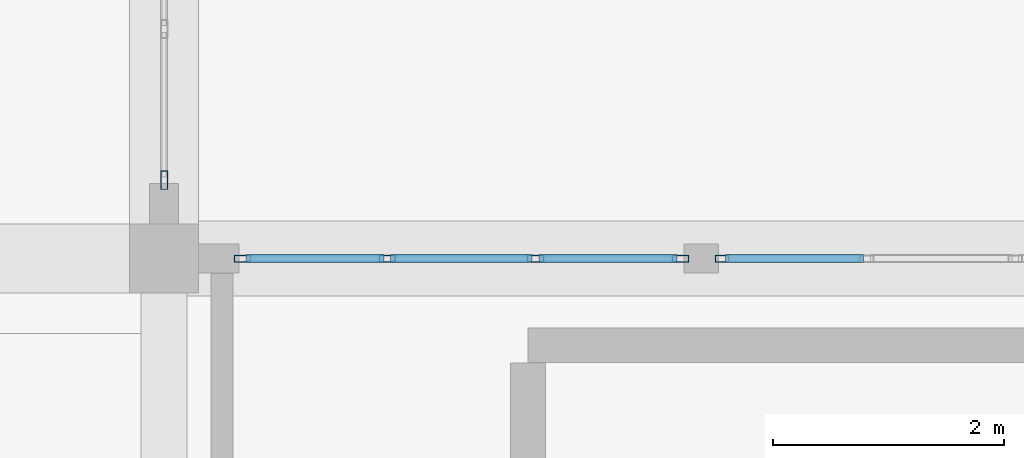
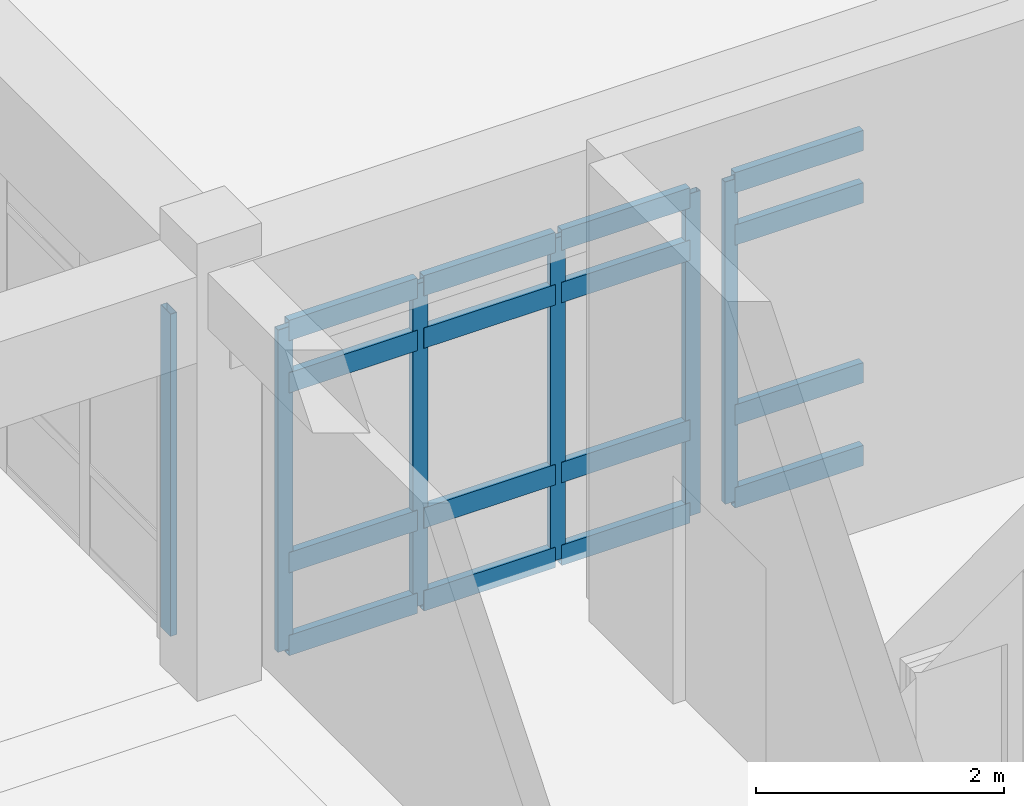
# One storey, part 22 of 109: 22 members, 3 elements without a shape of their own.
"""IFC4 building model written with IfcOpenShell, lengths in metres."""

from ifc_helpers import new_model, si_unit, direction, frame, origin, origin_2d, place, context, subcontext, project, spatial, hollow_rectangle, extrude, material, layer, layer_set, material_profile, profile_set, type_object, element, aggregate, save


model = new_model("IFC4")

# Units and contexts
model_context = context("Model", 3, precision=1e-05, world=origin(), true_north=direction((0.0, 1.0)))
body_context = subcontext(model_context, "Body", "Model", "MODEL_VIEW")
ifc_project = project(units=[si_unit("LENGTHUNIT", "METRE"), si_unit("AREAUNIT", "SQUARE_METRE"), si_unit("VOLUMEUNIT", "CUBIC_METRE"), si_unit("PLANEANGLEUNIT", "RADIAN"), si_unit("MASSUNIT", "GRAM", prefix="KILO")], contexts=[model_context])

# Site, building, storey
site_placement = place(None, origin())
site = spatial("IfcSite", under=ifc_project, at=site_placement, CompositionType="ELEMENT")
building_placement = place(site_placement, origin())
building = spatial("IfcBuilding", under=site, at=building_placement, Name="Fikremerkos Civic Library", CompositionType="ELEMENT")
storey_placement = place(building_placement, frame((0.0, 0.0, 5.39990234375)))
storey = spatial("IfcBuildingStorey", under=building, at=storey_placement, Name="L01", CompositionType="ELEMENT", Elevation=5.39990234375)

# Curtain wall, member
ifc_material = material(Name="Anodized aluminium Frame", Category="aluminium")
ifc_layer_1 = layer(ifc_material, 0.159912109375, Name="Anodized aluminium Frame")
ifc_layer_set_1 = layer_set([ifc_layer_1], Name="Anodized aluminium Frame")
curtain_wall_type_1 = type_object("IfcCurtainWallType", Name="Unitised curtain wall CW-06 4200x4100", PredefinedType="USERDEFINED", material=ifc_layer_set_1)
curtain_wall_1_placement = place(storey_placement, origin())
curtain_wall_1 = element("IfcCurtainWall", 1, at=curtain_wall_1_placement, inside=storey, type_object=curtain_wall_type_1, Name="Unitised curtain wall CW-06 L01 #96", ObjectType="UNITISED CURTAIN WALL", PredefinedType="USERDEFINED")
ifc_material_profile_1 = material_profile(ifc_material, hollow_rectangle(XDim=0.06005859375, YDim=0.159912109375, WallThickness=0.00390625, at=origin_2d()), Name="ALU 160x60x4")
ifc_profile_set_1 = profile_set([ifc_material_profile_1], Name="Anodized aluminium Frame")
member_type_1 = type_object("IfcMemberType", Name="Curtain mullion CWM-02 ALU 160x60x4", PredefinedType="MULLION", material=ifc_profile_set_1)
member_1_placement = place(storey_placement, frame((100.199951171875, 31.8779296875, 0.0), z_axis=(0.0, 0.0, 1.0), x_axis=(1.0, 0.0, 0.0)))
member_1 = element("IfcMember", 2, at=member_1_placement, type_object=member_type_1, Name="CW-06 mullion 4", PredefinedType="MULLION", context=body_context, shape_type="SweptSolid", body=[
    extrude(hollow_rectangle(XDim=0.06005859375, YDim=0.159912109375, WallThickness=0.00390625, at=origin_2d()), origin(), (0.0, 0.0, 1.0), 3.170166015625),
])
aggregate(curtain_wall_1, [member_1])

# Curtain wall, members
ifc_layer_2 = layer(ifc_material, 0.159912109375, Name="Anodized aluminium Frame")
ifc_layer_set_2 = layer_set([ifc_layer_2], Name="Anodized aluminium Frame")
curtain_wall_type_2 = type_object("IfcCurtainWallType", Name="Unitised curtain wall CW-07 3500x4100", PredefinedType="USERDEFINED", material=ifc_layer_set_2)
curtain_wall_2_placement = place(storey_placement, origin())
curtain_wall_2 = element("IfcCurtainWall", 3, at=curtain_wall_2_placement, inside=storey, type_object=curtain_wall_type_2, Name="Unitised curtain wall CW-07 L01 #97", ObjectType="UNITISED CURTAIN WALL", PredefinedType="USERDEFINED")
ifc_material_profile_2 = material_profile(ifc_material, hollow_rectangle(XDim=0.06005859375, YDim=0.139892578125, WallThickness=0.00390625, at=origin_2d()), Name="ALU 140x60x4")
ifc_profile_set_2 = profile_set([ifc_material_profile_2], Name="Anodized aluminium Frame")
member_type_2 = type_object("IfcMemberType", Name="Curtain mullion CWM-03 ALU 140x60x4", PredefinedType="MULLION", material=ifc_profile_set_2)
member_2_placement = place(storey_placement, frame((100.8779296875, 31.199951171875, 0.0), z_axis=(0.0, 0.0, 1.0), x_axis=(0.0, 1.0, 0.0)))
member_2 = element("IfcMember", 4, at=member_2_placement, type_object=member_type_2, Name="CW-07 mullion 1", PredefinedType="MULLION", context=body_context, shape_type="SweptSolid", body=[
    extrude(hollow_rectangle(XDim=0.06005859375, YDim=0.139892578125, WallThickness=0.00390625, at=origin_2d()), origin(), (0.0, 0.0, 1.0), 3.170166015625),
])
member_3_placement = place(storey_placement, frame((102.1318359375, 31.199951171875, 0.0), z_axis=(0.0, 0.0, 1.0), x_axis=(0.0, 1.0, 0.0)))
member_3 = element("IfcMember", 5, at=member_3_placement, type_object=member_type_2, Name="CW-07 mullion 2", PredefinedType="MULLION", context=body_context, shape_type="SweptSolid", body=[
    extrude(hollow_rectangle(XDim=0.06005859375, YDim=0.139892578125, WallThickness=0.00390625, at=origin_2d()), origin(), (0.0, 0.0, 1.0), 3.170166015625),
])
member_4_placement = place(storey_placement, frame((103.41552734375, 31.199951171875, 0.0), z_axis=(0.0, 0.0, 1.0), x_axis=(0.0, 1.0, 0.0)))
member_4 = element("IfcMember", 6, at=member_4_placement, type_object=member_type_2, Name="CW-07 mullion 3", PredefinedType="MULLION", context=body_context, shape_type="SweptSolid", body=[
    extrude(hollow_rectangle(XDim=0.06005859375, YDim=0.139892578125, WallThickness=0.00390625, at=origin_2d()), origin(), (0.0, 0.0, 1.0), 3.170166015625),
])
member_5_placement = place(storey_placement, frame((104.66943359375, 31.199951171875, 0.0), z_axis=(0.0, 0.0, 1.0), x_axis=(0.0, 1.0, 0.0)))
member_5 = element("IfcMember", 7, at=member_5_placement, type_object=member_type_2, Name="CW-07 mullion 4", PredefinedType="MULLION", context=body_context, shape_type="SweptSolid", body=[
    extrude(hollow_rectangle(XDim=0.06005859375, YDim=0.139892578125, WallThickness=0.00390625, at=origin_2d()), origin(), (0.0, 0.0, 1.0), 3.170166015625),
])

# Curtain wall, member
ifc_layer_3 = layer(ifc_material, 0.159912109375, Name="Anodized aluminium Frame")
ifc_layer_set_3 = layer_set([ifc_layer_3], Name="Anodized aluminium Frame")
curtain_wall_type_3 = type_object("IfcCurtainWallType", Name="Unitised curtain wall CW-08 4500x4100", PredefinedType="USERDEFINED", material=ifc_layer_set_3)
curtain_wall_3_placement = place(storey_placement, origin())
curtain_wall_3 = element("IfcCurtainWall", 8, at=curtain_wall_3_placement, inside=storey, type_object=curtain_wall_type_3, Name="Unitised curtain wall CW-08 L01 #98", ObjectType="UNITISED CURTAIN WALL", PredefinedType="USERDEFINED")
ifc_material_profile_3 = material_profile(ifc_material, hollow_rectangle(XDim=0.06005859375, YDim=0.1201171875, WallThickness=0.00390625, at=origin_2d()), Name="ALU 120x60x4")
ifc_profile_set_3 = profile_set([ifc_material_profile_3], Name="Anodized aluminium Frame")
member_type_3 = type_object("IfcMemberType", Name="Curtain mullion CWM-04 ALU 120x60x4", PredefinedType="MULLION", material=ifc_profile_set_3)
member_6_placement = place(storey_placement, frame((105.029296875, 31.199951171875, 0.0), z_axis=(0.0, 0.0, 1.0), x_axis=(0.0, 1.0, 0.0)))
member_6 = element("IfcMember", 9, at=member_6_placement, type_object=member_type_3, Name="CW-08 mullion 1", PredefinedType="MULLION", context=body_context, shape_type="SweptSolid", body=[
    extrude(hollow_rectangle(XDim=0.06005859375, YDim=0.1201171875, WallThickness=0.00390625, at=origin_2d()), origin(), (0.0, 0.0, 1.0), 3.170166015625),
])

# Member
ifc_material_profile_4 = material_profile(ifc_material, hollow_rectangle(XDim=0.070068359375, YDim=0.199951171875, WallThickness=0.0048828125, at=origin_2d()), Name="ALU 200x70x5")
ifc_profile_set_4 = profile_set([ifc_material_profile_4], Name="Anodized aluminium Frame")
member_type_4 = type_object("IfcMemberType", Name="Curtain transom CWT-04 ALU 200x70x5", PredefinedType="USERDEFINED", material=ifc_profile_set_4)
member_7_placement = place(storey_placement, frame((100.907958984375, 31.199951171875, 0.03515625), z_axis=(1.0, 0.0, 0.0), x_axis=(0.0, 1.0, 0.0)))
member_7 = element("IfcMember", 10, at=member_7_placement, type_object=member_type_4, Name="CW-07 transom 1.1", ObjectType="TRANSOM", PredefinedType="USERDEFINED", context=body_context, shape_type="SweptSolid", body=[
    extrude(hollow_rectangle(XDim=0.070068359375, YDim=0.199951171875, WallThickness=0.0048828125, at=origin_2d()), origin(), (0.0, 0.0, 1.0), 1.19384765625),
])

member_8_placement = place(storey_placement, frame((100.907958984375, 31.199951171875, 0.85009765625), z_axis=(1.0, 0.0, 0.0), x_axis=(0.0, 1.0, 0.0)))
member_8 = element("IfcMember", 11, at=member_8_placement, type_object=member_type_4, Name="CW-07 transom 1.2", ObjectType="TRANSOM", PredefinedType="USERDEFINED", context=body_context, shape_type="SweptSolid", body=[
    extrude(hollow_rectangle(XDim=0.070068359375, YDim=0.199951171875, WallThickness=0.0048828125, at=origin_2d()), origin(), (0.0, 0.0, 1.0), 1.19384765625),
])

member_9_placement = place(storey_placement, frame((100.907958984375, 31.199951171875, 2.6201171875), z_axis=(1.0, 0.0, 0.0), x_axis=(0.0, 1.0, 0.0)))
member_9 = element("IfcMember", 12, at=member_9_placement, type_object=member_type_4, Name="CW-07 transom 1.3", ObjectType="TRANSOM", PredefinedType="USERDEFINED", context=body_context, shape_type="SweptSolid", body=[
    extrude(hollow_rectangle(XDim=0.070068359375, YDim=0.199951171875, WallThickness=0.0048828125, at=origin_2d()), origin(), (0.0, 0.0, 1.0), 1.19384765625),
])

member_10_placement = place(storey_placement, frame((100.907958984375, 31.199951171875, 3.135009765625), z_axis=(1.0, 0.0, 0.0), x_axis=(0.0, 1.0, 0.0)))
member_10 = element("IfcMember", 13, at=member_10_placement, type_object=member_type_4, Name="CW-07 transom 1.4", ObjectType="TRANSOM", PredefinedType="USERDEFINED", context=body_context, shape_type="SweptSolid", body=[
    extrude(hollow_rectangle(XDim=0.070068359375, YDim=0.199951171875, WallThickness=0.0048828125, at=origin_2d()), origin(), (0.0, 0.0, 1.0), 1.19384765625),
])

member_11_placement = place(storey_placement, frame((102.161865234375, 31.199951171875, 0.03515625), z_axis=(1.0, 0.0, 0.0), x_axis=(0.0, 1.0, 0.0)))
member_11 = element("IfcMember", 14, at=member_11_placement, type_object=member_type_4, Name="CW-07 transom 2.1", ObjectType="TRANSOM", PredefinedType="USERDEFINED", context=body_context, shape_type="SweptSolid", body=[
    extrude(hollow_rectangle(XDim=0.070068359375, YDim=0.199951171875, WallThickness=0.0048828125, at=origin_2d()), origin(), (0.0, 0.0, 1.0), 1.2236328125),
])

member_12_placement = place(storey_placement, frame((102.161865234375, 31.199951171875, 0.85009765625), z_axis=(1.0, 0.0, 0.0), x_axis=(0.0, 1.0, 0.0)))
member_12 = element("IfcMember", 15, at=member_12_placement, type_object=member_type_4, Name="CW-07 transom 2.2", ObjectType="TRANSOM", PredefinedType="USERDEFINED", context=body_context, shape_type="SweptSolid", body=[
    extrude(hollow_rectangle(XDim=0.070068359375, YDim=0.199951171875, WallThickness=0.0048828125, at=origin_2d()), origin(), (0.0, 0.0, 1.0), 1.2236328125),
])

member_13_placement = place(storey_placement, frame((102.161865234375, 31.199951171875, 2.6201171875), z_axis=(1.0, 0.0, 0.0), x_axis=(0.0, 1.0, 0.0)))
member_13 = element("IfcMember", 16, at=member_13_placement, type_object=member_type_4, Name="CW-07 transom 2.3", ObjectType="TRANSOM", PredefinedType="USERDEFINED", context=body_context, shape_type="SweptSolid", body=[
    extrude(hollow_rectangle(XDim=0.070068359375, YDim=0.199951171875, WallThickness=0.0048828125, at=origin_2d()), origin(), (0.0, 0.0, 1.0), 1.2236328125),
])

member_14_placement = place(storey_placement, frame((102.161865234375, 31.199951171875, 3.135009765625), z_axis=(1.0, 0.0, 0.0), x_axis=(0.0, 1.0, 0.0)))
member_14 = element("IfcMember", 17, at=member_14_placement, type_object=member_type_4, Name="CW-07 transom 2.4", ObjectType="TRANSOM", PredefinedType="USERDEFINED", context=body_context, shape_type="SweptSolid", body=[
    extrude(hollow_rectangle(XDim=0.070068359375, YDim=0.199951171875, WallThickness=0.0048828125, at=origin_2d()), origin(), (0.0, 0.0, 1.0), 1.2236328125),
])

member_15_placement = place(storey_placement, frame((103.445556640625, 31.199951171875, 0.03515625), z_axis=(1.0, 0.0, 0.0), x_axis=(0.0, 1.0, 0.0)))
member_15 = element("IfcMember", 18, at=member_15_placement, type_object=member_type_4, Name="CW-07 transom 3.1", ObjectType="TRANSOM", PredefinedType="USERDEFINED", context=body_context, shape_type="SweptSolid", body=[
    extrude(hollow_rectangle(XDim=0.070068359375, YDim=0.199951171875, WallThickness=0.0048828125, at=origin_2d()), origin(), (0.0, 0.0, 1.0), 1.19384765625),
])

member_16_placement = place(storey_placement, frame((103.445556640625, 31.199951171875, 0.85009765625), z_axis=(1.0, 0.0, 0.0), x_axis=(0.0, 1.0, 0.0)))
member_16 = element("IfcMember", 19, at=member_16_placement, type_object=member_type_4, Name="CW-07 transom 3.2", ObjectType="TRANSOM", PredefinedType="USERDEFINED", context=body_context, shape_type="SweptSolid", body=[
    extrude(hollow_rectangle(XDim=0.070068359375, YDim=0.199951171875, WallThickness=0.0048828125, at=origin_2d()), origin(), (0.0, 0.0, 1.0), 1.19384765625),
])

member_17_placement = place(storey_placement, frame((103.445556640625, 31.199951171875, 2.6201171875), z_axis=(1.0, 0.0, 0.0), x_axis=(0.0, 1.0, 0.0)))
member_17 = element("IfcMember", 20, at=member_17_placement, type_object=member_type_4, Name="CW-07 transom 3.3", ObjectType="TRANSOM", PredefinedType="USERDEFINED", context=body_context, shape_type="SweptSolid", body=[
    extrude(hollow_rectangle(XDim=0.070068359375, YDim=0.199951171875, WallThickness=0.0048828125, at=origin_2d()), origin(), (0.0, 0.0, 1.0), 1.19384765625),
])

member_18_placement = place(storey_placement, frame((103.445556640625, 31.199951171875, 3.135009765625), z_axis=(1.0, 0.0, 0.0), x_axis=(0.0, 1.0, 0.0)))
member_18 = element("IfcMember", 21, at=member_18_placement, type_object=member_type_4, Name="CW-07 transom 3.4", ObjectType="TRANSOM", PredefinedType="USERDEFINED", context=body_context, shape_type="SweptSolid", body=[
    extrude(hollow_rectangle(XDim=0.070068359375, YDim=0.199951171875, WallThickness=0.0048828125, at=origin_2d()), origin(), (0.0, 0.0, 1.0), 1.19384765625),
])

aggregate(curtain_wall_2, [member_2, member_3, member_4, member_5, member_7, member_8, member_9, member_10, member_11, member_12, member_13, member_14, member_15, member_16, member_17, member_18])

member_19_placement = place(storey_placement, frame((105.059326171875, 31.199951171875, 0.03515625), z_axis=(1.0, 0.0, 0.0), x_axis=(0.0, 1.0, 0.0)))
member_19 = element("IfcMember", 22, at=member_19_placement, type_object=member_type_4, Name="CW-08 transom 1.1", ObjectType="TRANSOM", PredefinedType="USERDEFINED", context=body_context, shape_type="SweptSolid", body=[
    extrude(hollow_rectangle(XDim=0.070068359375, YDim=0.199951171875, WallThickness=0.0048828125, at=origin_2d()), origin(), (0.0, 0.0, 1.0), 1.19384765625),
])

member_20_placement = place(storey_placement, frame((105.059326171875, 31.199951171875, 0.85009765625), z_axis=(1.0, 0.0, 0.0), x_axis=(0.0, 1.0, 0.0)))
member_20 = element("IfcMember", 23, at=member_20_placement, type_object=member_type_4, Name="CW-08 transom 1.2", ObjectType="TRANSOM", PredefinedType="USERDEFINED", context=body_context, shape_type="SweptSolid", body=[
    extrude(hollow_rectangle(XDim=0.070068359375, YDim=0.199951171875, WallThickness=0.0048828125, at=origin_2d()), origin(), (0.0, 0.0, 1.0), 1.19384765625),
])

member_21_placement = place(storey_placement, frame((105.059326171875, 31.199951171875, 2.6201171875), z_axis=(1.0, 0.0, 0.0), x_axis=(0.0, 1.0, 0.0)))
member_21 = element("IfcMember", 24, at=member_21_placement, type_object=member_type_4, Name="CW-08 transom 1.3", ObjectType="TRANSOM", PredefinedType="USERDEFINED", context=body_context, shape_type="SweptSolid", body=[
    extrude(hollow_rectangle(XDim=0.070068359375, YDim=0.199951171875, WallThickness=0.0048828125, at=origin_2d()), origin(), (0.0, 0.0, 1.0), 1.19384765625),
])

member_22_placement = place(storey_placement, frame((105.059326171875, 31.199951171875, 3.135009765625), z_axis=(1.0, 0.0, 0.0), x_axis=(0.0, 1.0, 0.0)))
member_22 = element("IfcMember", 25, at=member_22_placement, type_object=member_type_4, Name="CW-08 transom 1.4", ObjectType="TRANSOM", PredefinedType="USERDEFINED", context=body_context, shape_type="SweptSolid", body=[
    extrude(hollow_rectangle(XDim=0.070068359375, YDim=0.199951171875, WallThickness=0.0048828125, at=origin_2d()), origin(), (0.0, 0.0, 1.0), 1.19384765625),
])

aggregate(curtain_wall_3, [member_6, member_19, member_20, member_21, member_22])

save(model, "model.ifc")
